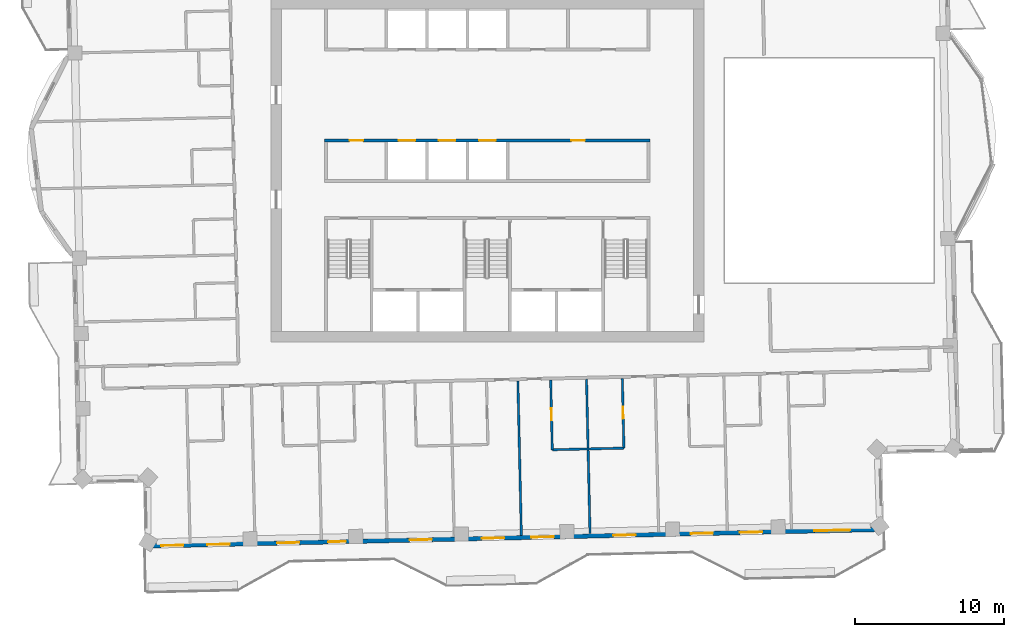
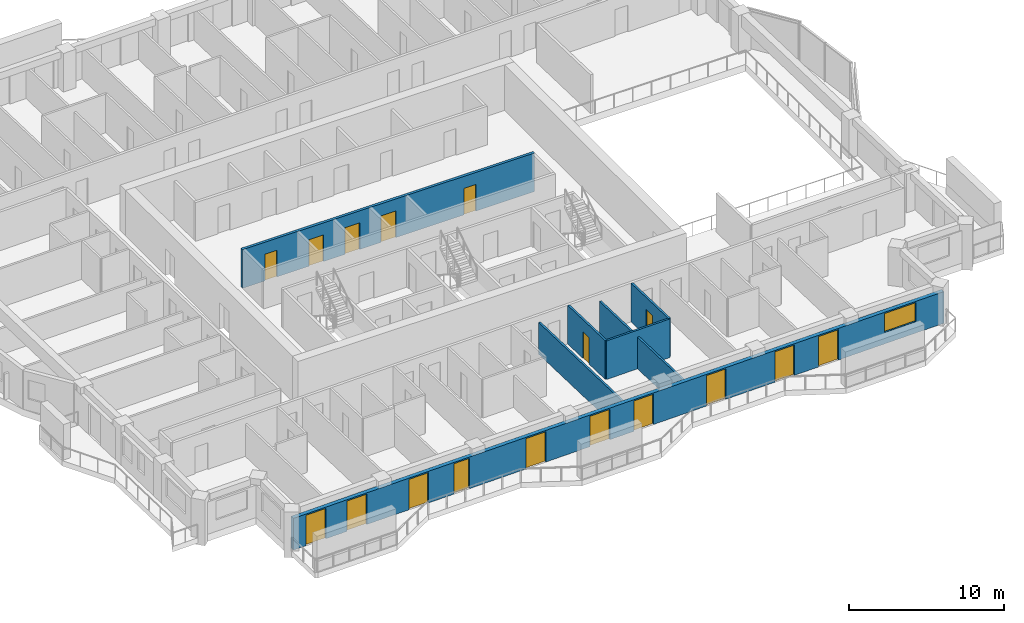
# One storey, part 10 of 19: 17 doors, 7 walls, 1 window, 18 openings.
"""IFC4 building model written with IfcOpenShell, lengths in metres."""

from ifc_helpers import new_model, si_unit, direction, frame, frame_2d, origin, place, context, subcontext, project, spatial, rectangle, extrude, material, layer, layer_set, type_object, element, fill, save


model = new_model("IFC4")

# Units and contexts
model_context = context("Model", 3, precision=1e-05, world=origin(), true_north=direction((0.0, 1.0)))
body_context = subcontext(model_context, "Body", "Model", "MODEL_VIEW")
ifc_project = project(units=[si_unit("LENGTHUNIT", "METRE"), si_unit("AREAUNIT", "SQUARE_METRE"), si_unit("VOLUMEUNIT", "CUBIC_METRE"), si_unit("PLANEANGLEUNIT", "RADIAN"), si_unit("MASSUNIT", "GRAM", prefix="KILO")], contexts=[model_context])

# Site, building, storey
site_placement = place(None, origin())
site = spatial("IfcSite", under=ifc_project, at=site_placement, CompositionType="ELEMENT")
building_placement = place(site_placement, origin())
building = spatial("IfcBuilding", under=site, at=building_placement, Name="Mangrove Gate Tower", CompositionType="ELEMENT")
storey_placement = place(building_placement, frame((0.0, 0.0, 297.89990234375)))
storey = spatial("IfcBuildingStorey", under=building, at=storey_placement, Name="L76", CompositionType="ELEMENT", Elevation=297.89990234375)

# Wall, openings, doors
ifc_material_1 = material(Name="Concrete C50/60", Category="concrete")
ifc_layer_1 = layer(ifc_material_1, 0.199951171875)
ifc_layer_set_1 = layer_set([ifc_layer_1], Name="Core shaft wall 200 C50/60")
wall_type_1 = type_object("IfcWallType", Name="Core shaft wall 200 C50/60", PredefinedType="SHEAR", material=ifc_layer_set_1)
wall_1_placement = place(storey_placement, frame((-10.89990234375, 2.0, 0.0), z_axis=(0.0, 0.0, 1.0), x_axis=(1.0, 0.0, 0.0)))
wall_1 = element("IfcWall", 1, at=wall_1_placement, inside=storey, type_object=wall_type_1, Name="WALL-L76-CORE-7", PredefinedType="SHEAR", context=body_context, shape_type="SweptSolid", body=[
    extrude(rectangle(XDim=21.7998046875, YDim=0.199951171875, at=frame_2d((10.89990234375, 0.0))), origin(), (0.0, 0.0, 1.0), 3.050048828125),
])
opening_1_placement = place(wall_1_placement, frame((4.949951171875, 0.0, 0.0)))
opening_1 = element("IfcOpeningElement", 2, at=opening_1_placement, cuts=wall_1, Name="Opening LD", PredefinedType="OPENING", context=body_context, shape_type="SweptSolid", body=[
    extrude(rectangle(XDim=1.10009765625, YDim=2.10009765625, at=frame_2d((0.550048828125, 1.050048828125))), frame((0.0, 0.10986328125, 0.0), z_axis=(0.0, -1.0, 0.0), x_axis=(1.0, 0.0, 0.0)), (0.0, 0.0, 1.0), 0.219970703125),
])
opening_2_placement = place(wall_1_placement, frame((7.64990234375, 0.0, 0.0)))
opening_2 = element("IfcOpeningElement", 3, at=opening_2_placement, cuts=wall_1, Name="Opening LD", PredefinedType="OPENING", context=body_context, shape_type="SweptSolid", body=[
    extrude(rectangle(XDim=1.10009765625, YDim=2.10009765625, at=frame_2d((0.550048828125, 1.050048828125))), frame((0.0, 0.10986328125, 0.0), z_axis=(0.0, -1.0, 0.0), x_axis=(1.0, 0.0, 0.0)), (0.0, 0.0, 1.0), 0.219970703125),
])
opening_3_placement = place(wall_1_placement, frame((10.35009765625, 0.0, 0.0)))
opening_3 = element("IfcOpeningElement", 4, at=opening_3_placement, cuts=wall_1, Name="Opening LD", PredefinedType="OPENING", context=body_context, shape_type="SweptSolid", body=[
    extrude(rectangle(XDim=1.10009765625, YDim=2.10009765625, at=frame_2d((0.550048828125, 1.050048828125))), frame((0.0, 0.10986328125, 0.0), z_axis=(0.0, -1.0, 0.0), x_axis=(1.0, 0.0, 0.0)), (0.0, 0.0, 1.0), 0.219970703125),
])
opening_4_placement = place(wall_1_placement, frame((1.675048828125, 0.0, 0.0)))
opening_4 = element("IfcOpeningElement", 5, at=opening_4_placement, cuts=wall_1, Name="Opening RD", PredefinedType="OPENING", context=body_context, shape_type="SweptSolid", body=[
    extrude(rectangle(XDim=0.89990234375, YDim=2.10009765625, at=frame_2d((0.449951171875, 1.050048828125))), frame((0.0, 0.10986328125, 0.0), z_axis=(0.0, -1.0, 0.0), x_axis=(1.0, 0.0, 0.0)), (0.0, 0.0, 1.0), 0.219970703125),
])
opening_5_placement = place(wall_1_placement, frame((16.52490234375, 0.0, 0.0)))
opening_5 = element("IfcOpeningElement", 6, at=opening_5_placement, cuts=wall_1, Name="Opening KD", PredefinedType="OPENING", context=body_context, shape_type="SweptSolid", body=[
    extrude(rectangle(XDim=0.89990234375, YDim=2.10009765625, at=frame_2d((0.449951171875, 1.050048828125))), frame((0.0, 0.10986328125, 0.0), z_axis=(0.0, -1.0, 0.0), x_axis=(1.0, 0.0, 0.0)), (0.0, 0.0, 1.0), 0.219970703125),
])
ifc_material_2 = material(Name="Fire-rated steel door set", Category="steel")
door_type_1 = type_object("IfcDoorType", Name="Core room door FD30S 900x2100", OperationType="SINGLE_SWING_RIGHT", PredefinedType="DOOR", material=ifc_material_2)
door_1_placement = place(opening_5_placement, origin())
door_1 = element("IfcDoor", 7, at=door_1_placement, inside=storey, type_object=door_type_1, Name="Core room door Linen store", OperationType="SINGLE_SWING_RIGHT", OverallHeight=2.10009765625, OverallWidth=0.89990234375, PredefinedType="DOOR", context=body_context, shape_type="SweptSolid", body=[
    extrude(rectangle(XDim=0.89990234375, YDim=2.10009765625, at=frame_2d((0.449951171875, 1.050048828125))), frame((0.0, 0.02490234375, 0.0), z_axis=(0.0, -1.0, 0.0), x_axis=(1.0, 0.0, 0.0)), (0.0, 0.0, 1.0), 0.050048828125),
])
fill(opening_5, door_1)
ifc_material_3 = material(Name="Stainless steel 316", Category="steel")
door_type_2 = type_object("IfcDoorType", Name="Lift landing door 1100x2100", OperationType="SLIDING_TO_LEFT", PredefinedType="DOOR", material=ifc_material_3)
door_2_placement = place(opening_1_placement, origin())
door_2 = element("IfcDoor", 8, at=door_2_placement, inside=storey, type_object=door_type_2, Name="Landing door LD H01", OperationType="SLIDING_TO_LEFT", OverallHeight=2.10009765625, OverallWidth=1.10009765625, PredefinedType="DOOR", context=body_context, shape_type="SweptSolid", body=[
    extrude(rectangle(XDim=1.10009765625, YDim=2.10009765625, at=frame_2d((0.550048828125, 1.050048828125))), frame((0.0, 0.02490234375, 0.0), z_axis=(0.0, -1.0, 0.0), x_axis=(1.0, 0.0, 0.0)), (0.0, 0.0, 1.0), 0.050048828125),
])
fill(opening_1, door_2)
door_3_placement = place(opening_2_placement, origin())
door_3 = element("IfcDoor", 9, at=door_3_placement, inside=storey, type_object=door_type_2, Name="Landing door LD H02", OperationType="SLIDING_TO_LEFT", OverallHeight=2.10009765625, OverallWidth=1.10009765625, PredefinedType="DOOR", context=body_context, shape_type="SweptSolid", body=[
    extrude(rectangle(XDim=1.10009765625, YDim=2.10009765625, at=frame_2d((0.550048828125, 1.050048828125))), frame((0.0, 0.02490234375, 0.0), z_axis=(0.0, -1.0, 0.0), x_axis=(1.0, 0.0, 0.0)), (0.0, 0.0, 1.0), 0.050048828125),
])
fill(opening_2, door_3)
door_4_placement = place(opening_3_placement, origin())
door_4 = element("IfcDoor", 10, at=door_4_placement, inside=storey, type_object=door_type_2, Name="Landing door LD H03", OperationType="SLIDING_TO_LEFT", OverallHeight=2.10009765625, OverallWidth=1.10009765625, PredefinedType="DOOR", context=body_context, shape_type="SweptSolid", body=[
    extrude(rectangle(XDim=1.10009765625, YDim=2.10009765625, at=frame_2d((0.550048828125, 1.050048828125))), frame((0.0, 0.02490234375, 0.0), z_axis=(0.0, -1.0, 0.0), x_axis=(1.0, 0.0, 0.0)), (0.0, 0.0, 1.0), 0.050048828125),
])
fill(opening_3, door_4)
ifc_material_4 = material(Name="Fire-rated steel door set", Category="steel")
door_type_3 = type_object("IfcDoorType", Name="Riser door FD30S 900x2100", OperationType="SINGLE_SWING_LEFT", PredefinedType="DOOR", material=ifc_material_4)
door_5_placement = place(opening_4_placement, origin())
door_5 = element("IfcDoor", 11, at=door_5_placement, inside=storey, type_object=door_type_3, Name="Riser door Electrical room", OperationType="SINGLE_SWING_LEFT", OverallHeight=2.10009765625, OverallWidth=0.89990234375, PredefinedType="DOOR", context=body_context, shape_type="SweptSolid", body=[
    extrude(rectangle(XDim=0.89990234375, YDim=2.10009765625, at=frame_2d((0.449951171875, 1.050048828125))), frame((0.0, 0.02490234375, 0.0), z_axis=(0.0, -1.0, 0.0), x_axis=(1.0, 0.0, 0.0)), (0.0, 0.0, 1.0), 0.050048828125),
])
fill(opening_4, door_5)

# Wall, openings, doors, window
ifc_material_5 = material(Name="Limestone", Category="masonry")
ifc_layer_2 = layer(ifc_material_5, 0.0400390625, Name="Limestone cladding")
ifc_material_6 = material(Name="Ventilated air gap")
ifc_layer_3 = layer(ifc_material_6, 0.0400390625, Name="Ventilated cavity")
ifc_material_7 = material(Name="Mineral wool insulation")
ifc_layer_4 = layer(ifc_material_7, 0.06005859375, Name="Insulation")
ifc_material_8 = material(Name="Breather membrane")
ifc_layer_5 = layer(ifc_material_8, 0.001953125, Name="Breather membrane")
ifc_material_9 = material(Name="Concrete C20/25 blockwork", Category="masonry")
ifc_layer_6 = layer(ifc_material_9, 0.14990234375, Name="Blockwork backing wall")
ifc_material_10 = material(Name="Gypsum plaster")
ifc_layer_7 = layer(ifc_material_10, 0.008056640625, Name="Internal plaster")
ifc_layer_set_2 = layer_set([ifc_layer_2, ifc_layer_3, ifc_layer_4, ifc_layer_5, ifc_layer_6, ifc_layer_7], Name="External wall 300 limestone cladding")
wall_type_2 = type_object("IfcWallType", Name="External wall 300 limestone cladding", PredefinedType="SOLIDWALL", material=ifc_layer_set_2)
wall_2_placement = place(storey_placement, frame((-22.81591796875, -25.160888671875, 0.0), z_axis=(0.0, 0.0, 1.0), x_axis=(0.999742646411, 0.022685699159, 0.0)))
wall_2 = element("IfcWall", 12, at=wall_2_placement, inside=storey, type_object=wall_type_2, Name="WALL-L76-S13", PredefinedType="SOLIDWALL", context=body_context, shape_type="SweptSolid", body=[
    extrude(rectangle(XDim=49.235595703125, YDim=0.300048828125, at=frame_2d((24.61767578125, 0.0))), origin(), (0.0, 0.0, 1.0), 2.5),
])
opening_6_placement = place(wall_2_placement, frame((0.952880859375, 0.0, 0.0)))
opening_6 = element("IfcOpeningElement", 13, at=opening_6_placement, cuts=wall_2, Name="Opening BD1", PredefinedType="OPENING", context=body_context, shape_type="SweptSolid", body=[
    extrude(rectangle(XDim=1.5, YDim=2.39990234375, at=frame_2d((0.75, 1.199951171875))), frame((0.0, 0.159912109375, 0.0), z_axis=(0.0, -1.0, 0.0), x_axis=(1.0, 0.0, 0.0)), (0.0, 0.0, 1.0), 0.320068359375),
])
opening_7_placement = place(wall_2_placement, frame((4.051025390625, 0.0, 0.0)))
opening_7 = element("IfcOpeningElement", 14, at=opening_7_placement, cuts=wall_2, Name="Opening BD1", PredefinedType="OPENING", context=body_context, shape_type="SweptSolid", body=[
    extrude(rectangle(XDim=1.5, YDim=2.39990234375, at=frame_2d((0.75, 1.199951171875))), frame((0.0, 0.159912109375, 0.0), z_axis=(0.0, -1.0, 0.0), x_axis=(1.0, 0.0, 0.0)), (0.0, 0.0, 1.0), 0.320068359375),
])
opening_8_placement = place(wall_2_placement, frame((8.72509765625, 0.0, 0.0)))
opening_8 = element("IfcOpeningElement", 15, at=opening_8_placement, cuts=wall_2, Name="Opening BD1", PredefinedType="OPENING", context=body_context, shape_type="SweptSolid", body=[
    extrude(rectangle(XDim=1.5, YDim=2.39990234375, at=frame_2d((0.75, 1.199951171875))), frame((0.0, 0.159912109375, 0.0), z_axis=(0.0, -1.0, 0.0), x_axis=(1.0, 0.0, 0.0)), (0.0, 0.0, 1.0), 0.320068359375),
])
opening_9_placement = place(wall_2_placement, frame((12.138916015625, 0.0, 0.0)))
opening_9 = element("IfcOpeningElement", 16, at=opening_9_placement, cuts=wall_2, Name="Opening BD2", PredefinedType="OPENING", context=body_context, shape_type="SweptSolid", body=[
    extrude(rectangle(XDim=1.199951171875, YDim=2.39990234375, at=frame_2d((0.60009765625, 1.199951171875))), frame((0.0, 0.159912109375, 0.0), z_axis=(0.0, -1.0, 0.0), x_axis=(1.0, 0.0, 0.0)), (0.0, 0.0, 1.0), 0.320068359375),
])
opening_10_placement = place(wall_2_placement, frame((17.60009765625, 0.0, 0.0)))
opening_10 = element("IfcOpeningElement", 17, at=opening_10_placement, cuts=wall_2, Name="Opening BD1", PredefinedType="OPENING", context=body_context, shape_type="SweptSolid", body=[
    extrude(rectangle(XDim=1.5, YDim=2.39990234375, at=frame_2d((0.75, 1.199951171875))), frame((0.0, 0.159912109375, 0.0), z_axis=(0.0, -1.0, 0.0), x_axis=(1.0, 0.0, 0.0)), (0.0, 0.0, 1.0), 0.320068359375),
])
opening_11_placement = place(wall_2_placement, frame((22.452880859375, 0.0, 0.0)))
opening_11 = element("IfcOpeningElement", 18, at=opening_11_placement, cuts=wall_2, Name="Opening BD1", PredefinedType="OPENING", context=body_context, shape_type="SweptSolid", body=[
    extrude(rectangle(XDim=1.5, YDim=2.39990234375, at=frame_2d((0.75, 1.199951171875))), frame((0.0, 0.159912109375, 0.0), z_axis=(0.0, -1.0, 0.0), x_axis=(1.0, 0.0, 0.0)), (0.0, 0.0, 1.0), 0.320068359375),
])
opening_12_placement = place(wall_2_placement, frame((25.764892578125, 0.0, 0.0)))
opening_12 = element("IfcOpeningElement", 19, at=opening_12_placement, cuts=wall_2, Name="Opening BD1", PredefinedType="OPENING", context=body_context, shape_type="SweptSolid", body=[
    extrude(rectangle(XDim=1.5, YDim=2.39990234375, at=frame_2d((0.75, 1.199951171875))), frame((0.0, 0.159912109375, 0.0), z_axis=(0.0, -1.0, 0.0), x_axis=(1.0, 0.0, 0.0)), (0.0, 0.0, 1.0), 0.320068359375),
])
opening_13_placement = place(wall_2_placement, frame((31.25, 0.0, 0.0)))
opening_13 = element("IfcOpeningElement", 20, at=opening_13_placement, cuts=wall_2, Name="Opening BD1", PredefinedType="OPENING", context=body_context, shape_type="SweptSolid", body=[
    extrude(rectangle(XDim=1.5, YDim=2.39990234375, at=frame_2d((0.75, 1.199951171875))), frame((0.0, 0.159912109375, 0.0), z_axis=(0.0, -1.0, 0.0), x_axis=(1.0, 0.0, 0.0)), (0.0, 0.0, 1.0), 0.320068359375),
])
opening_14_placement = place(wall_2_placement, frame((36.428955078125, 0.0, 0.0)))
opening_14 = element("IfcOpeningElement", 21, at=opening_14_placement, cuts=wall_2, Name="Opening BD1", PredefinedType="OPENING", context=body_context, shape_type="SweptSolid", body=[
    extrude(rectangle(XDim=1.5, YDim=2.39990234375, at=frame_2d((0.75, 1.199951171875))), frame((0.0, 0.159912109375, 0.0), z_axis=(0.0, -1.0, 0.0), x_axis=(1.0, 0.0, 0.0)), (0.0, 0.0, 1.0), 0.320068359375),
])
opening_15_placement = place(wall_2_placement, frame((39.741943359375, 0.0, 0.0)))
opening_15 = element("IfcOpeningElement", 22, at=opening_15_placement, cuts=wall_2, Name="Opening BD1", PredefinedType="OPENING", context=body_context, shape_type="SweptSolid", body=[
    extrude(rectangle(XDim=1.5, YDim=2.39990234375, at=frame_2d((0.75, 1.199951171875))), frame((0.0, 0.159912109375, 0.0), z_axis=(0.0, -1.0, 0.0), x_axis=(1.0, 0.0, 0.0)), (0.0, 0.0, 1.0), 0.320068359375),
])
opening_16_placement = place(wall_2_placement, frame((44.719970703125, 0.0, 0.89990234375)))
opening_16 = element("IfcOpeningElement", 23, at=opening_16_placement, cuts=wall_2, Name="Opening W2", PredefinedType="OPENING", context=body_context, shape_type="SweptSolid", body=[
    extrude(rectangle(XDim=2.39990234375, YDim=1.5, at=frame_2d((1.199951171875, 0.75))), frame((0.0, 0.159912109375, 0.0), z_axis=(0.0, -1.0, 0.0), x_axis=(1.0, 0.0, 0.0)), (0.0, 0.0, 1.0), 0.320068359375),
])
ifc_material_11 = material(Name="Aluminium frame with laminated clear glass", Category="aluminium")
door_type_4 = type_object("IfcDoorType", Name="Balcony sliding door 1200x2400", OperationType="SLIDING_TO_LEFT", PredefinedType="DOOR", material=ifc_material_11)
door_6_placement = place(opening_9_placement, origin())
door_6 = element("IfcDoor", 24, at=door_6_placement, inside=storey, type_object=door_type_4, Name="DOOR-L76-S13-4", OperationType="SLIDING_TO_LEFT", OverallHeight=2.39990234375, OverallWidth=1.199951171875, PredefinedType="DOOR", context=body_context, shape_type="SweptSolid", body=[
    extrude(rectangle(XDim=1.199951171875, YDim=2.39990234375, at=frame_2d((0.60009765625, 1.199951171875))), frame((0.0, 0.02490234375, 0.0), z_axis=(0.0, -1.0, 0.0), x_axis=(1.0, 0.0, 0.0)), (0.0, 0.0, 1.0), 0.050048828125),
])
fill(opening_9, door_6)
ifc_material_12 = material(Name="Aluminium frame with laminated clear glass", Category="aluminium")
door_type_5 = type_object("IfcDoorType", Name="Balcony sliding door 1500x2400", OperationType="SLIDING_TO_LEFT", PredefinedType="DOOR", material=ifc_material_12)
door_7_placement = place(opening_6_placement, origin())
door_7 = element("IfcDoor", 25, at=door_7_placement, inside=storey, type_object=door_type_5, Name="DOOR-L76-S13-1", OperationType="SLIDING_TO_LEFT", OverallHeight=2.39990234375, OverallWidth=1.5, PredefinedType="DOOR", context=body_context, shape_type="SweptSolid", body=[
    extrude(rectangle(XDim=1.5, YDim=2.39990234375, at=frame_2d((0.75, 1.199951171875))), frame((0.0, 0.02490234375, 0.0), z_axis=(0.0, -1.0, 0.0), x_axis=(1.0, 0.0, 0.0)), (0.0, 0.0, 1.0), 0.050048828125),
])
fill(opening_6, door_7)
door_8_placement = place(opening_7_placement, origin())
door_8 = element("IfcDoor", 26, at=door_8_placement, inside=storey, type_object=door_type_5, Name="DOOR-L76-S13-2", OperationType="SLIDING_TO_LEFT", OverallHeight=2.39990234375, OverallWidth=1.5, PredefinedType="DOOR", context=body_context, shape_type="SweptSolid", body=[
    extrude(rectangle(XDim=1.5, YDim=2.39990234375, at=frame_2d((0.75, 1.199951171875))), frame((0.0, 0.02490234375, 0.0), z_axis=(0.0, -1.0, 0.0), x_axis=(1.0, 0.0, 0.0)), (0.0, 0.0, 1.0), 0.050048828125),
])
fill(opening_7, door_8)
door_9_placement = place(opening_8_placement, origin())
door_9 = element("IfcDoor", 27, at=door_9_placement, inside=storey, type_object=door_type_5, Name="DOOR-L76-S13-3", OperationType="SLIDING_TO_LEFT", OverallHeight=2.39990234375, OverallWidth=1.5, PredefinedType="DOOR", context=body_context, shape_type="SweptSolid", body=[
    extrude(rectangle(XDim=1.5, YDim=2.39990234375, at=frame_2d((0.75, 1.199951171875))), frame((0.0, 0.02490234375, 0.0), z_axis=(0.0, -1.0, 0.0), x_axis=(1.0, 0.0, 0.0)), (0.0, 0.0, 1.0), 0.050048828125),
])
fill(opening_8, door_9)
door_10_placement = place(opening_10_placement, origin())
door_10 = element("IfcDoor", 28, at=door_10_placement, inside=storey, type_object=door_type_5, Name="DOOR-L76-S13-5", OperationType="SLIDING_TO_LEFT", OverallHeight=2.39990234375, OverallWidth=1.5, PredefinedType="DOOR", context=body_context, shape_type="SweptSolid", body=[
    extrude(rectangle(XDim=1.5, YDim=2.39990234375, at=frame_2d((0.75, 1.199951171875))), frame((0.0, 0.02490234375, 0.0), z_axis=(0.0, -1.0, 0.0), x_axis=(1.0, 0.0, 0.0)), (0.0, 0.0, 1.0), 0.050048828125),
])
fill(opening_10, door_10)
door_11_placement = place(opening_11_placement, origin())
door_11 = element("IfcDoor", 29, at=door_11_placement, inside=storey, type_object=door_type_5, Name="DOOR-L76-S13-6", OperationType="SLIDING_TO_LEFT", OverallHeight=2.39990234375, OverallWidth=1.5, PredefinedType="DOOR", context=body_context, shape_type="SweptSolid", body=[
    extrude(rectangle(XDim=1.5, YDim=2.39990234375, at=frame_2d((0.75, 1.199951171875))), frame((0.0, 0.02490234375, 0.0), z_axis=(0.0, -1.0, 0.0), x_axis=(1.0, 0.0, 0.0)), (0.0, 0.0, 1.0), 0.050048828125),
])
fill(opening_11, door_11)
door_12_placement = place(opening_12_placement, origin())
door_12 = element("IfcDoor", 30, at=door_12_placement, inside=storey, type_object=door_type_5, Name="DOOR-L76-S13-7", OperationType="SLIDING_TO_LEFT", OverallHeight=2.39990234375, OverallWidth=1.5, PredefinedType="DOOR", context=body_context, shape_type="SweptSolid", body=[
    extrude(rectangle(XDim=1.5, YDim=2.39990234375, at=frame_2d((0.75, 1.199951171875))), frame((0.0, 0.02490234375, 0.0), z_axis=(0.0, -1.0, 0.0), x_axis=(1.0, 0.0, 0.0)), (0.0, 0.0, 1.0), 0.050048828125),
])
fill(opening_12, door_12)
door_13_placement = place(opening_13_placement, origin())
door_13 = element("IfcDoor", 31, at=door_13_placement, inside=storey, type_object=door_type_5, Name="DOOR-L76-S13-8", OperationType="SLIDING_TO_LEFT", OverallHeight=2.39990234375, OverallWidth=1.5, PredefinedType="DOOR", context=body_context, shape_type="SweptSolid", body=[
    extrude(rectangle(XDim=1.5, YDim=2.39990234375, at=frame_2d((0.75, 1.199951171875))), frame((0.0, 0.02490234375, 0.0), z_axis=(0.0, -1.0, 0.0), x_axis=(1.0, 0.0, 0.0)), (0.0, 0.0, 1.0), 0.050048828125),
])
fill(opening_13, door_13)
door_14_placement = place(opening_14_placement, origin())
door_14 = element("IfcDoor", 32, at=door_14_placement, inside=storey, type_object=door_type_5, Name="DOOR-L76-S13-9", OperationType="SLIDING_TO_LEFT", OverallHeight=2.39990234375, OverallWidth=1.5, PredefinedType="DOOR", context=body_context, shape_type="SweptSolid", body=[
    extrude(rectangle(XDim=1.5, YDim=2.39990234375, at=frame_2d((0.75, 1.199951171875))), frame((0.0, 0.02490234375, 0.0), z_axis=(0.0, -1.0, 0.0), x_axis=(1.0, 0.0, 0.0)), (0.0, 0.0, 1.0), 0.050048828125),
])
fill(opening_14, door_14)
door_15_placement = place(opening_15_placement, origin())
door_15 = element("IfcDoor", 33, at=door_15_placement, inside=storey, type_object=door_type_5, Name="DOOR-L76-S13-10", OperationType="SLIDING_TO_LEFT", OverallHeight=2.39990234375, OverallWidth=1.5, PredefinedType="DOOR", context=body_context, shape_type="SweptSolid", body=[
    extrude(rectangle(XDim=1.5, YDim=2.39990234375, at=frame_2d((0.75, 1.199951171875))), frame((0.0, 0.02490234375, 0.0), z_axis=(0.0, -1.0, 0.0), x_axis=(1.0, 0.0, 0.0)), (0.0, 0.0, 1.0), 0.050048828125),
])
fill(opening_15, door_15)
ifc_material_13 = material(Name="Aluminium frame with double-glazed low-e glass", Category="aluminium")
window_type = type_object("IfcWindowType", Name="Corner room window 2400x1500", PartitioningType="DOUBLE_PANEL_VERTICAL", PredefinedType="WINDOW", material=ifc_material_13)
window_placement = place(opening_16_placement, origin())
window = element("IfcWindow", 34, at=window_placement, inside=storey, type_object=window_type, Name="WIN-L76-S13-11", OverallHeight=1.5, OverallWidth=2.39990234375, PartitioningType="DOUBLE_PANEL_VERTICAL", PredefinedType="WINDOW", context=body_context, shape_type="SweptSolid", body=[
    extrude(rectangle(XDim=2.39990234375, YDim=1.5, at=frame_2d((1.199951171875, 0.75))), frame((0.0, 0.030029296875, 0.0), z_axis=(0.0, -1.0, 0.0), x_axis=(1.0, 0.0, 0.0)), (0.0, 0.0, 1.0), 0.06005859375),
])
fill(opening_16, window)

# Walls
ifc_material_14 = material(Name="Gypsum board on steel stud, EI 60", Category="steel")
ifc_layer_8 = layer(ifc_material_14, 0.14990234375)
ifc_layer_set_3 = layer_set([ifc_layer_8], Name="Party wall 150 EI 60")
wall_type_3 = type_object("IfcWallType", Name="Party wall 150 EI 60", PredefinedType="PARTITIONING", material=ifc_layer_set_3)
wall_3_placement = place(storey_placement, frame((2.27197265625, -24.44189453125, 0.0), z_axis=(0.0, 0.0, 1.0), x_axis=(-0.022690865001, 0.999742529177, 0.0)))
element("IfcWall", 35, at=wall_3_placement, inside=storey, type_object=wall_type_3, Name="WALL-L76-006", PredefinedType="PARTITIONING", context=body_context, shape_type="SweptSolid", body=[
    extrude(rectangle(XDim=10.3505859375, YDim=0.14990234375, at=frame_2d((5.17529296875, 0.0))), origin(), (0.0, 0.0, 1.0), 2.5),
])
wall_4_placement = place(storey_placement, frame((6.87109375, -24.3369140625, 0.0), z_axis=(0.0, 0.0, 1.0), x_axis=(-0.022716582742, 0.999741945138, 0.0)))
element("IfcWall", 36, at=wall_4_placement, inside=storey, type_object=wall_type_3, Name="WALL-L76-007", PredefinedType="PARTITIONING", context=body_context, shape_type="SweptSolid", body=[
    extrude(rectangle(XDim=10.349609375, YDim=0.14990234375, at=frame_2d((5.1748046875, 0.0))), origin(), (0.0, 0.0, 1.0), 2.5),
])

# Wall, opening, door
wall_5_placement = place(storey_placement, frame((4.343017578125, -18.712890625, 0.0), z_axis=(0.0, 0.0, 1.0), x_axis=(-0.022688155425, 0.999742590672, 0.0)))
wall_5 = element("IfcWall", 37, at=wall_5_placement, inside=storey, type_object=wall_type_3, Name="WALL-L76-011", PredefinedType="PARTITIONING", context=body_context, shape_type="SweptSolid", body=[
    extrude(rectangle(XDim=4.670166015625, YDim=0.14990234375, at=frame_2d((2.3349609375, 0.0))), origin(), (0.0, 0.0, 1.0), 3.050048828125),
])
opening_17_placement = place(wall_5_placement, frame((1.985107421875, 0.0, 0.0)))
opening_17 = element("IfcOpeningElement", 38, at=opening_17_placement, cuts=wall_5, Name="Opening ED", PredefinedType="OPENING", context=body_context, shape_type="SweptSolid", body=[
    extrude(rectangle(XDim=0.800048828125, YDim=2.10009765625, at=frame_2d((0.39990234375, 1.050048828125))), frame((0.0, 0.0849609375, 0.0), z_axis=(0.0, -1.0, 0.0), x_axis=(1.0, 0.0, 0.0)), (0.0, 0.0, 1.0), 0.169921875),
])
ifc_material_15 = material(Name="Timber door leaf", Category="wood")
door_type_6 = type_object("IfcDoorType", Name="En-suite door 800", OperationType="SINGLE_SWING_LEFT", PredefinedType="DOOR", material=ifc_material_15)
door_16_placement = place(opening_17_placement, origin())
door_16 = element("IfcDoor", 39, at=door_16_placement, inside=storey, type_object=door_type_6, Name="DOOR-L76-ENS-c206", OperationType="SINGLE_SWING_RIGHT", OverallHeight=2.10009765625, OverallWidth=0.800048828125, PredefinedType="DOOR", context=body_context, shape_type="SweptSolid", body=[
    extrude(rectangle(XDim=0.800048828125, YDim=2.10009765625, at=frame_2d((0.39990234375, 1.050048828125))), frame((0.0, 0.02490234375, 0.0), z_axis=(0.0, -1.0, 0.0), x_axis=(1.0, 0.0, 0.0)), (0.0, 0.0, 1.0), 0.050048828125),
])
fill(opening_17, door_16)

# Wall
wall_6_placement = place(storey_placement, frame((4.344970703125, -18.712890625, 0.0), z_axis=(0.0, 0.0, 1.0), x_axis=(0.999742596585, 0.02268789488, 0.0)))
element("IfcWall", 40, at=wall_6_placement, inside=storey, type_object=wall_type_3, Name="WALL-L76-012", PredefinedType="PARTITIONING", context=body_context, shape_type="SweptSolid", body=[
    extrude(rectangle(XDim=4.79931640625, YDim=0.14990234375, at=frame_2d((2.399658203125, 0.0))), origin(), (0.0, 0.0, 1.0), 3.050048828125),
])

# Wall, opening, door
wall_7_placement = place(storey_placement, frame((9.14111328125, -18.60400390625, 0.0), z_axis=(0.0, 0.0, 1.0), x_axis=(-0.022531404752, 0.999746135676, 0.0)))
wall_7 = element("IfcWall", 41, at=wall_7_placement, inside=storey, type_object=wall_type_3, Name="WALL-L76-013", PredefinedType="PARTITIONING", context=body_context, shape_type="SweptSolid", body=[
    extrude(rectangle(XDim=4.670166015625, YDim=0.14990234375, at=frame_2d((2.3349609375, 0.0))), origin(), (0.0, 0.0, 1.0), 3.050048828125),
])
opening_18_placement = place(wall_7_placement, frame((1.985107421875, 0.0, 0.0)))
opening_18 = element("IfcOpeningElement", 42, at=opening_18_placement, cuts=wall_7, Name="Opening ED", PredefinedType="OPENING", context=body_context, shape_type="SweptSolid", body=[
    extrude(rectangle(XDim=0.800048828125, YDim=2.10009765625, at=frame_2d((0.39990234375, 1.050048828125))), frame((0.0, 0.0849609375, 0.0), z_axis=(0.0, -1.0, 0.0), x_axis=(1.0, 0.0, 0.0)), (0.0, 0.0, 1.0), 0.169921875),
])
door_17_placement = place(opening_18_placement, origin())
door_17 = element("IfcDoor", 43, at=door_17_placement, inside=storey, type_object=door_type_6, Name="DOOR-L76-ENS-c207", OperationType="SINGLE_SWING_LEFT", OverallHeight=2.10009765625, OverallWidth=0.800048828125, PredefinedType="DOOR", context=body_context, shape_type="SweptSolid", body=[
    extrude(rectangle(XDim=0.800048828125, YDim=2.10009765625, at=frame_2d((0.39990234375, 1.050048828125))), frame((0.0, 0.02490234375, 0.0), z_axis=(0.0, -1.0, 0.0), x_axis=(1.0, 0.0, 0.0)), (0.0, 0.0, 1.0), 0.050048828125),
])
fill(opening_18, door_17)

save(model, "model.ifc")
